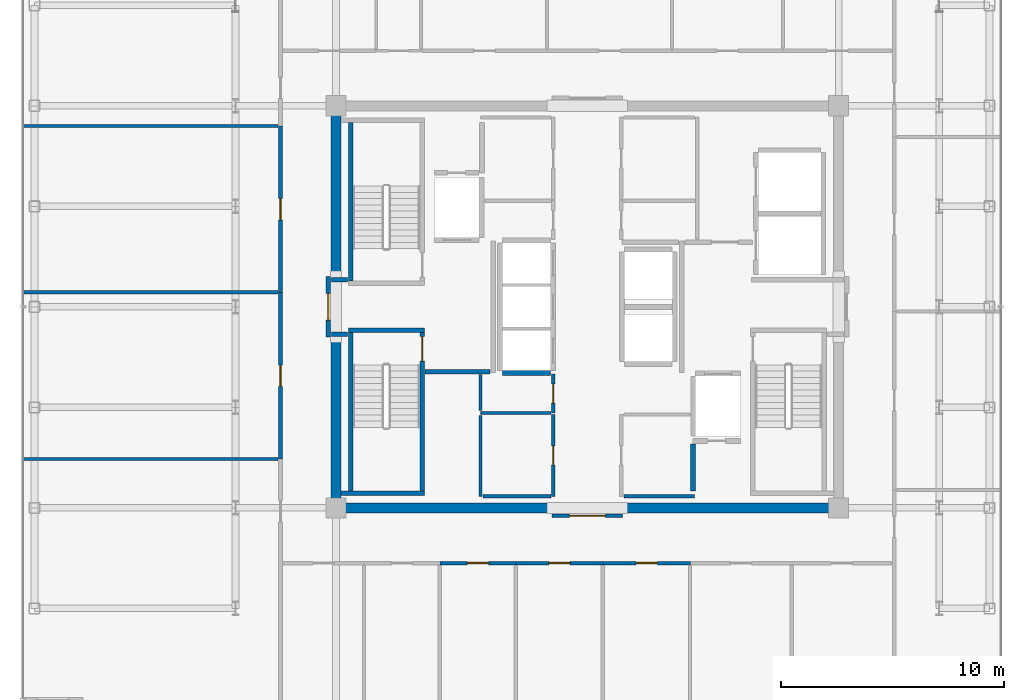
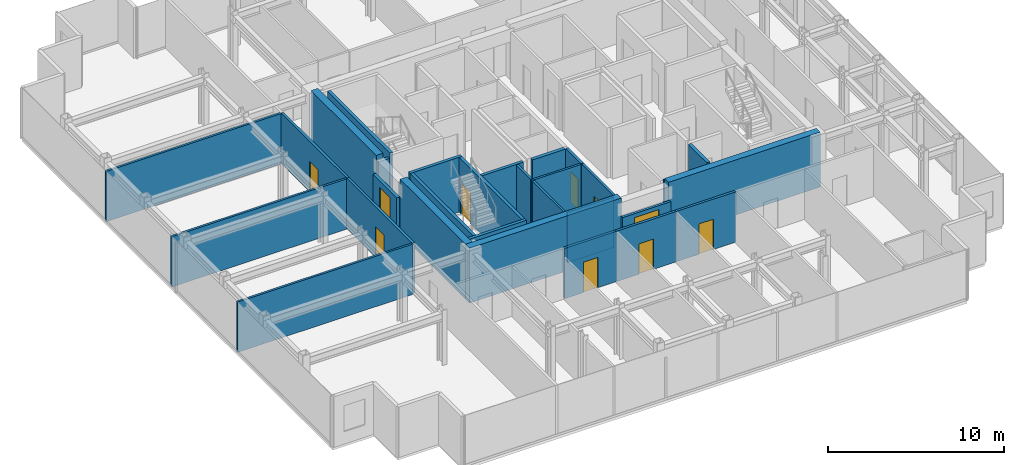
# One storey, part 13 of 18: 31 walls, 10 doors, 10 openings.
"""IFC4 building model written with IfcOpenShell, lengths in metres."""

from ifc_helpers import new_model, si_unit, direction, frame, frame_2d, origin, place, context, subcontext, project, spatial, rectangle, extrude, source, transform, mapped, material, layer, layer_set, type_object, element, fill, save


model = new_model("IFC4")

# Units and contexts
model_context = context("Model", 3, precision=1e-05, world=origin(), true_north=direction((0.0, 1.0)))
body_context = subcontext(model_context, "Body", "Model", "MODEL_VIEW")
ifc_project = project(units=[si_unit("LENGTHUNIT", "METRE"), si_unit("AREAUNIT", "SQUARE_METRE"), si_unit("VOLUMEUNIT", "CUBIC_METRE"), si_unit("PLANEANGLEUNIT", "RADIAN"), si_unit("MASSUNIT", "GRAM", prefix="KILO")], contexts=[model_context])

# Site, building, storey
site_placement = place(None, origin())
site = spatial("IfcSite", under=ifc_project, at=site_placement, CompositionType="ELEMENT")
building_placement = place(site_placement, origin())
building = spatial("IfcBuilding", under=site, at=building_placement, Name="Nefas-Gora Pilgrimage Tower", CompositionType="ELEMENT")
storey_placement = place(building_placement, frame((0.0, 0.0, 314.0)))
storey = spatial("IfcBuildingStorey", under=building, at=storey_placement, Name="L79", CompositionType="ELEMENT", Elevation=314.0)

# Walls
ifc_material_1 = material(Name="Concrete C50/60", Category="concrete")
ifc_layer_1 = layer(ifc_material_1, 0.449951171875)
ifc_layer_set_1 = layer_set([ifc_layer_1], Name="Concrete C50/60")
wall_type_1 = type_object("IfcWallType", Name="SW-CORE-450", PredefinedType="SHEAR", material=ifc_layer_set_1)
shared_shape_1 = source(origin(), body_context, "Body", "SweptSolid", [
    extrude(rectangle(XDim=9.925048828125, YDim=0.449951171875, at=frame_2d((4.96240234375, 0.0))), origin(), (0.0, 0.0, 1.0), 3.800048828125),
])
for number, where, z_axis, x_axis, name in (
    (1, (-11.47509765625, -9.0, 0.0), (0.0, 0.0, 1.0), (1.0, 0.0, 0.0), "L79 Core Shear Wall S-West"),
    (2, (1.550048828125, -9.0, 0.0), (0.0, 0.0, 1.0), (1.0, 0.0, 0.0), "L79 Core Shear Wall S-East"),
):
    element("IfcWall", number, at=place(storey_placement, frame(where, z_axis=z_axis, x_axis=x_axis)), inside=storey, type_object=wall_type_1, Name=name, PredefinedType="SHEAR", context=body_context, shape_type="MappedRepresentation", body=[
        mapped(shared_shape_1, transform((0.0, 0.0, 0.0), x_axis=(1.0, 0.0, 0.0), y_axis=(0.0, 1.0, 0.0), z_axis=(0.0, 0.0, 1.0), scale=1.0)),
    ])
shared_shape_2 = source(origin(), body_context, "Body", "SweptSolid", [
    extrude(rectangle(XDim=7.4248046875, YDim=0.449951171875, at=frame_2d((3.71240234375, 0.0))), origin(), (0.0, 0.0, 1.0), 3.800048828125),
])
for number, where, z_axis, x_axis, name in (
    (3, (-11.25, -8.77490234375, 0.0), (0.0, 0.0, 1.0), (0.0, 1.0, 0.0), "L79 Core Shear Wall W-South"),
    (4, (-11.25, 1.35009765625, 0.0), (0.0, 0.0, 1.0), (0.0, 1.0, 0.0), "L79 Core Shear Wall W-North"),
):
    element("IfcWall", number, at=place(storey_placement, frame(where, z_axis=z_axis, x_axis=x_axis)), inside=storey, type_object=wall_type_1, Name=name, PredefinedType="SHEAR", context=body_context, shape_type="MappedRepresentation", body=[
        mapped(shared_shape_2, transform((0.0, 0.0, 0.0), x_axis=(1.0, 0.0, 0.0), y_axis=(0.0, 1.0, 0.0), z_axis=(0.0, 0.0, 1.0), scale=1.0)),
    ])
ifc_material_2 = material(Name="Concrete C45/55", Category="concrete")
ifc_layer_2 = layer(ifc_material_2, 0.199951171875)
ifc_layer_set_2 = layer_set([ifc_layer_2], Name="Concrete C45/55")
wall_type_2 = type_object("IfcWallType", Name="IW-STAIR-200", PredefinedType="SOLIDWALL", material=ifc_layer_set_2)
shared_shape_3 = source(origin(), body_context, "Body", "SweptSolid", [
    extrude(rectangle(XDim=3.39990234375, YDim=0.199951171875, at=frame_2d((1.699951171875, 0.0))), origin(), (0.0, 0.0, 1.0), 3.800048828125),
])
wall_1_placement = place(storey_placement, frame((-10.699951171875, -1.050048828125, 0.0), z_axis=(0.0, 0.0, 1.0), x_axis=(1.0, 0.0, 0.0)))
element("IfcWall", 5, at=wall_1_placement, inside=storey, type_object=wall_type_2, Name="L79 Stairwell Shear Wall ST-03-near", PredefinedType="SOLIDWALL", context=body_context, shape_type="MappedRepresentation", body=[
    mapped(shared_shape_3, transform((0.0, 0.0, 0.0), x_axis=(1.0, 0.0, 0.0), y_axis=(0.0, 1.0, 0.0), z_axis=(0.0, 0.0, 1.0), scale=1.0)),
])
shared_shape_4 = source(origin(), body_context, "Body", "SweptSolid", [
    extrude(rectangle(XDim=7.10009765625, YDim=0.199951171875, at=frame_2d((3.550048828125, 0.0))), origin(), (0.0, 0.0, 1.0), 3.800048828125),
])
for number, where, z_axis, x_axis, name in (
    (6, (-10.60009765625, 1.14990234375, 0.0), (0.0, 0.0, 1.0), (0.0, 1.0, 0.0), "L79 Stairwell Shear Wall ST-01-right"),
    (7, (-10.60009765625, -1.14990234375, 0.0), (0.0, 0.0, 1.0), (0.0, -1.0, 0.0), "L79 Stairwell Shear Wall ST-03-left"),
):
    element("IfcWall", number, at=place(storey_placement, frame(where, z_axis=z_axis, x_axis=x_axis)), inside=storey, type_object=wall_type_2, Name=name, PredefinedType="SOLIDWALL", context=body_context, shape_type="MappedRepresentation", body=[
        mapped(shared_shape_4, transform((0.0, 0.0, 0.0), x_axis=(1.0, 0.0, 0.0), y_axis=(0.0, 1.0, 0.0), z_axis=(0.0, 0.0, 1.0), scale=1.0)),
    ])

# Wall, opening, door
wall_2_placement = place(storey_placement, frame((-7.39990234375, -1.14990234375, 0.0), z_axis=(0.0, 0.0, 1.0), x_axis=(0.0, -1.0, 0.0)))
wall_2 = element("IfcWall", 8, at=wall_2_placement, inside=storey, type_object=wall_type_2, Name="L79 Stairwell Shear Wall ST-03-right", PredefinedType="SOLIDWALL", context=body_context, shape_type="MappedRepresentation", body=[
    mapped(shared_shape_4, transform((0.0, 0.0, 0.0), x_axis=(1.0, 0.0, 0.0), y_axis=(0.0, 1.0, 0.0), z_axis=(0.0, 0.0, 1.0), scale=1.0)),
])
opening_1_placement = place(wall_2_placement, frame((0.179931640625, 0.0, 0.0)))
opening_1 = element("IfcOpeningElement", 9, at=opening_1_placement, cuts=wall_2, Name="Opening ID-ST1", PredefinedType="OPENING", context=body_context, shape_type="SweptSolid", body=[
    extrude(rectangle(XDim=1.10009765625, YDim=2.14990234375, at=frame_2d((0.550048828125, 1.074951171875))), frame((0.0, 0.10986328125, 0.0), z_axis=(0.0, -1.0, 0.0), x_axis=(1.0, 0.0, 0.0)), (0.0, 0.0, 1.0), 0.219970703125),
])
ifc_material_3 = material(Name="Painted galvanised steel fire stair door", Category="steel")
door_type_1 = type_object("IfcDoorType", Name="DR-INT-STAIR-1100", OperationType="NOTDEFINED", PredefinedType="DOOR", material=ifc_material_3)
shared_shape_5 = source(origin(), body_context, "Body", "SweptSolid", [
    extrude(rectangle(XDim=1.10009765625, YDim=2.14990234375, at=frame_2d((0.550048828125, 1.074951171875))), frame((0.0, 0.02490234375, 0.0), z_axis=(0.0, -1.0, 0.0), x_axis=(1.0, 0.0, 0.0)), (0.0, 0.0, 1.0), 0.050048828125),
])
door_1_placement = place(opening_1_placement, origin())
door_1 = element("IfcDoor", 10, at=door_1_placement, inside=storey, type_object=door_type_1, Name="L79 Protected Exit Stair Door ST-03", OperationType="SINGLE_SWING_LEFT", OverallHeight=2.14990234375, OverallWidth=1.10009765625, PredefinedType="DOOR", context=body_context, shape_type="MappedRepresentation", body=[
    mapped(shared_shape_5, transform((0.0, 0.0, 0.0), x_axis=(1.0, 0.0, 0.0), y_axis=(0.0, 1.0, 0.0), z_axis=(0.0, 0.0, 1.0), scale=1.0)),
])
fill(opening_1, door_1)

# Walls
shared_shape_6 = source(origin(), body_context, "Body", "SweptSolid", [
    extrude(rectangle(XDim=3.72998046875, YDim=0.199951171875, at=frame_2d((1.864990234375, 0.0))), origin(), (0.0, 0.0, 1.0), 3.800048828125),
])
wall_3_placement = place(storey_placement, frame((-11.030029296875, -8.35009765625, 0.0), z_axis=(0.0, 0.0, 1.0), x_axis=(1.0, 0.0, 0.0)))
element("IfcWall", 11, at=wall_3_placement, inside=storey, type_object=wall_type_2, Name="L79 Stairwell Shear Wall ST-03-far", PredefinedType="SOLIDWALL", context=body_context, shape_type="MappedRepresentation", body=[
    mapped(shared_shape_6, transform((0.0, 0.0, 0.0), x_axis=(1.0, 0.0, 0.0), y_axis=(0.0, 1.0, 0.0), z_axis=(0.0, 0.0, 1.0), scale=1.0)),
])
ifc_material_4 = material(Name="Concrete C40/50", Category="concrete")
ifc_layer_3 = layer(ifc_material_4, 0.219970703125)
ifc_layer_set_3 = layer_set([ifc_layer_3], Name="Concrete C40/50")
wall_type_3 = type_object("IfcWallType", Name="IW-SHAFT-220", PredefinedType="SOLIDWALL", material=ifc_layer_set_3)
shared_shape_7 = source(origin(), body_context, "Body", "SweptSolid", [
    extrude(rectangle(XDim=2.130126953125, YDim=0.219970703125, at=frame_2d((1.06494140625, 0.0))), origin(), (0.0, 0.0, 1.0), 3.485107421875),
])
wall_4_placement = place(storey_placement, frame((-3.7900390625, -2.9599609375, 0.0), z_axis=(0.0, 0.0, 1.0), x_axis=(1.0, 0.0, 0.0)))
element("IfcWall", 12, at=wall_4_placement, inside=storey, type_object=wall_type_3, Name="L79 Hoistway Wall PL3-01-S", PredefinedType="SOLIDWALL", context=body_context, shape_type="MappedRepresentation", body=[
    mapped(shared_shape_7, transform((0.0, 0.0, 0.0), x_axis=(1.0, 0.0, 0.0), y_axis=(0.0, 1.0, 0.0), z_axis=(0.0, 0.0, 1.0), scale=1.0)),
])
ifc_material_5 = material(Name="Gypsum fire-rated shaftwall")
ifc_layer_4 = layer(ifc_material_5, 0.199951171875)
ifc_layer_set_4 = layer_set([ifc_layer_4], Name="Gypsum fire-rated shaftwall")
wall_type_4 = type_object("IfcWallType", Name="IW-FFLOB-200", PredefinedType="PARTITIONING", material=ifc_layer_set_4)
shared_shape_8 = source(origin(), body_context, "Body", "SweptSolid", [
    extrude(rectangle(XDim=2.89990234375, YDim=0.199951171875, at=frame_2d((1.449951171875, 0.0))), origin(), (0.0, 0.0, 1.0), 3.485107421875),
])
wall_5_placement = place(storey_placement, frame((-7.260009765625, -2.89990234375, 0.0), z_axis=(0.0, 0.0, 1.0), x_axis=(1.0, 0.0, 0.0)))
element("IfcWall", 13, at=wall_5_placement, inside=storey, type_object=wall_type_4, Name="L79 FF Lobby West South Wall Wall 7", PredefinedType="PARTITIONING", context=body_context, shape_type="MappedRepresentation", body=[
    mapped(shared_shape_8, transform((0.0, 0.0, 0.0), x_axis=(1.0, 0.0, 0.0), y_axis=(0.0, 1.0, 0.0), z_axis=(0.0, 0.0, 1.0), scale=1.0)),
])
shared_shape_9 = source(origin(), body_context, "Body", "SweptSolid", [
    extrude(rectangle(XDim=0.719970703125, YDim=0.199951171875, at=frame_2d((0.35986328125, 0.0))), origin(), (0.0, 0.0, 1.0), 3.485107421875),
])
for number, where, z_axis, x_axis, name in (
    (14, (-11.4599609375, 1.219970703125, 0.0), (0.0, 0.0, 1.0), (1.0, 0.0, 0.0), "L79 FF Lobby West Throat N Wall 8"),
    (15, (-11.4599609375, -1.219970703125, 0.0), (0.0, 0.0, 1.0), (1.0, 0.0, 0.0), "L79 FF Lobby West Throat S Wall 9"),
):
    element("IfcWall", number, at=place(storey_placement, frame(where, z_axis=z_axis, x_axis=x_axis)), inside=storey, type_object=wall_type_4, Name=name, PredefinedType="PARTITIONING", context=body_context, shape_type="MappedRepresentation", body=[
        mapped(shared_shape_9, transform((0.0, 0.0, 0.0), x_axis=(1.0, 0.0, 0.0), y_axis=(0.0, 1.0, 0.0), z_axis=(0.0, 0.0, 1.0), scale=1.0)),
    ])

# Wall, opening, door
ifc_material_6 = material(Name="Gypsum acoustic stud partition")
ifc_layer_5 = layer(ifc_material_6, 0.159912109375)
ifc_layer_set_5 = layer_set([ifc_layer_5], Name="Gypsum acoustic stud partition")
wall_type_5 = type_object("IfcWallType", Name="IW-CORR-160", PredefinedType="PARTITIONING", material=ifc_layer_set_5)
shared_shape_10 = source(origin(), body_context, "Body", "SweptSolid", [
    extrude(rectangle(XDim=3.405029296875, YDim=0.159912109375, at=frame_2d((1.70263671875, 0.0))), origin(), (0.0, 0.0, 1.0), 3.485107421875),
])
wall_6_placement = place(storey_placement, frame((-6.60009765625, -11.469970703125, 0.0), z_axis=(0.0, 0.0, 1.0), x_axis=(1.0, 0.0, 0.0)))
wall_6 = element("IfcWall", 16, at=wall_6_placement, inside=storey, type_object=wall_type_5, Name="L79 Pastoral Chaplains Counselling Office Partition Wall 69", PredefinedType="PARTITIONING", context=body_context, shape_type="MappedRepresentation", body=[
    mapped(shared_shape_10, transform((0.0, 0.0, 0.0), x_axis=(1.0, 0.0, 0.0), y_axis=(0.0, 1.0, 0.0), z_axis=(0.0, 0.0, 1.0), scale=1.0)),
])
opening_2_placement = place(wall_6_placement, frame((1.2275390625, 0.0, 0.0)))
opening_2 = element("IfcOpeningElement", 17, at=opening_2_placement, cuts=wall_6, Name="Opening ID-GR1", PredefinedType="OPENING", context=body_context, shape_type="SweptSolid", body=[
    extrude(rectangle(XDim=0.949951171875, YDim=2.10009765625, at=frame_2d((0.47509765625, 1.050048828125))), frame((0.0, 0.08984375, 0.0), z_axis=(0.0, -1.0, 0.0), x_axis=(1.0, 0.0, 0.0)), (0.0, 0.0, 1.0), 0.179931640625),
])
ifc_material_7 = material(Name="Solid core oak fire-rated guest entrance door")
door_type_2 = type_object("IfcDoorType", Name="DR-INT-GUEST-950", OperationType="NOTDEFINED", PredefinedType="DOOR", material=ifc_material_7)
shared_shape_11 = source(origin(), body_context, "Body", "SweptSolid", [
    extrude(rectangle(XDim=0.949951171875, YDim=2.10009765625, at=frame_2d((0.47509765625, 1.050048828125))), frame((0.0, 0.02490234375, 0.0), z_axis=(0.0, -1.0, 0.0), x_axis=(1.0, 0.0, 0.0)), (0.0, 0.0, 1.0), 0.050048828125),
])
door_2_placement = place(opening_2_placement, origin())
door_2 = element("IfcDoor", 18, at=door_2_placement, inside=storey, type_object=door_type_2, Name="L79 Pastoral Chaplains Counselling Office Door 32", OperationType="SINGLE_SWING_LEFT", OverallHeight=2.10009765625, OverallWidth=0.949951171875, PredefinedType="DOOR", context=body_context, shape_type="MappedRepresentation", body=[
    mapped(shared_shape_11, transform((0.0, 0.0, 0.0), x_axis=(1.0, 0.0, 0.0), y_axis=(0.0, 1.0, 0.0), z_axis=(0.0, 0.0, 1.0), scale=1.0)),
])
fill(opening_2, door_2)

shared_shape_12 = source(origin(), body_context, "Body", "SweptSolid", [
    extrude(rectangle(XDim=3.905029296875, YDim=0.159912109375, at=frame_2d((1.95263671875, 0.0))), origin(), (0.0, 0.0, 1.0), 3.485107421875),
])
wall_7_placement = place(storey_placement, frame((-3.205078125, -11.469970703125, 0.0), z_axis=(0.0, 0.0, 1.0), x_axis=(1.0, 0.0, 0.0)))
wall_7 = element("IfcWall", 19, at=wall_7_placement, inside=storey, type_object=wall_type_5, Name="L79 Pilgrim Contemplative Lounge Partition Wall 71", PredefinedType="PARTITIONING", context=body_context, shape_type="MappedRepresentation", body=[
    mapped(shared_shape_12, transform((0.0, 0.0, 0.0), x_axis=(1.0, 0.0, 0.0), y_axis=(0.0, 1.0, 0.0), z_axis=(0.0, 0.0, 1.0), scale=1.0)),
])
opening_3_placement = place(wall_7_placement, frame((1.4775390625, 0.0, 0.0)))
opening_3 = element("IfcOpeningElement", 20, at=opening_3_placement, cuts=wall_7, Name="Opening ID-GR1", PredefinedType="OPENING", context=body_context, shape_type="SweptSolid", body=[
    extrude(rectangle(XDim=0.949951171875, YDim=2.10009765625, at=frame_2d((0.47509765625, 1.050048828125))), frame((0.0, 0.08984375, 0.0), z_axis=(0.0, -1.0, 0.0), x_axis=(1.0, 0.0, 0.0)), (0.0, 0.0, 1.0), 0.179931640625),
])
door_3_placement = place(opening_3_placement, origin())
door_3 = element("IfcDoor", 21, at=door_3_placement, inside=storey, type_object=door_type_2, Name="L79 Pilgrim Contemplative Lounge Door 33", OperationType="SINGLE_SWING_RIGHT", OverallHeight=2.10009765625, OverallWidth=0.949951171875, PredefinedType="DOOR", context=body_context, shape_type="MappedRepresentation", body=[
    mapped(shared_shape_11, transform((0.0, 0.0, 0.0), x_axis=(1.0, 0.0, 0.0), y_axis=(0.0, 1.0, 0.0), z_axis=(0.0, 0.0, 1.0), scale=1.0)),
])
fill(opening_3, door_3)

wall_8_placement = place(storey_placement, frame((0.699951171875, -11.469970703125, 0.0), z_axis=(0.0, 0.0, 1.0), x_axis=(1.0, 0.0, 0.0)))
wall_8 = element("IfcWall", 22, at=wall_8_placement, inside=storey, type_object=wall_type_5, Name="L79 Pilgrim Contemplative Lounge Partition Wall 73", PredefinedType="PARTITIONING", context=body_context, shape_type="MappedRepresentation", body=[
    mapped(shared_shape_12, transform((0.0, 0.0, 0.0), x_axis=(1.0, 0.0, 0.0), y_axis=(0.0, 1.0, 0.0), z_axis=(0.0, 0.0, 1.0), scale=1.0)),
])
opening_4_placement = place(wall_8_placement, frame((1.4775390625, 0.0, 0.0)))
opening_4 = element("IfcOpeningElement", 23, at=opening_4_placement, cuts=wall_8, Name="Opening ID-GR1", PredefinedType="OPENING", context=body_context, shape_type="SweptSolid", body=[
    extrude(rectangle(XDim=0.949951171875, YDim=2.10009765625, at=frame_2d((0.47509765625, 1.050048828125))), frame((0.0, 0.08984375, 0.0), z_axis=(0.0, -1.0, 0.0), x_axis=(1.0, 0.0, 0.0)), (0.0, 0.0, 1.0), 0.179931640625),
])
door_4_placement = place(opening_4_placement, origin())
door_4 = element("IfcDoor", 24, at=door_4_placement, inside=storey, type_object=door_type_2, Name="L79 Pilgrim Contemplative Lounge Door 34", OperationType="SINGLE_SWING_LEFT", OverallHeight=2.10009765625, OverallWidth=0.949951171875, PredefinedType="DOOR", context=body_context, shape_type="MappedRepresentation", body=[
    mapped(shared_shape_11, transform((0.0, 0.0, 0.0), x_axis=(1.0, 0.0, 0.0), y_axis=(0.0, 1.0, 0.0), z_axis=(0.0, 0.0, 1.0), scale=1.0)),
])
fill(opening_4, door_4)

# Walls
ifc_material_8 = material(Name="Gypsum twin-stud partition")
ifc_layer_6 = layer(ifc_material_8, 0.139892578125)
ifc_layer_set_6 = layer_set([ifc_layer_6], Name="Gypsum twin-stud partition")
wall_type_6 = type_object("IfcWallType", Name="IW-UNIT-140", PredefinedType="PARTITIONING", material=ifc_layer_set_6)
shared_shape_13 = source(origin(), body_context, "Body", "SweptSolid", [
    extrude(rectangle(XDim=3.150146484375, YDim=0.139892578125, at=frame_2d((1.5751953125, 0.0))), origin(), (0.0, 0.0, 1.0), 3.485107421875),
])
for number, where, z_axis, x_axis, name in (
    (25, (-4.7900390625, -4.75, 0.0), (0.0, 0.0, 1.0), (1.0, 0.0, 0.0), "L79 Guest Self-Service Laundry Room Partition Wall 32"),
    (26, (1.639892578125, -8.47998046875, 0.0), (0.0, 0.0, 1.0), (1.0, 0.0, 0.0), "L79 High-Rise Tableware Store Partition Wall 39"),
):
    element("IfcWall", number, at=place(storey_placement, frame(where, z_axis=z_axis, x_axis=x_axis)), inside=storey, type_object=wall_type_6, Name=name, PredefinedType="PARTITIONING", context=body_context, shape_type="MappedRepresentation", body=[
        mapped(shared_shape_13, transform((0.0, 0.0, 0.0), x_axis=(1.0, 0.0, 0.0), y_axis=(0.0, 1.0, 0.0), z_axis=(0.0, 0.0, 1.0), scale=1.0)),
    ])

# Wall, opening, door
shared_shape_14 = source(origin(), body_context, "Body", "SweptSolid", [
    extrude(rectangle(XDim=1.75, YDim=0.159912109375, at=frame_2d((0.875, 0.0))), origin(), (0.0, 0.0, 1.0), 3.485107421875),
])
wall_9_placement = place(storey_placement, frame((-1.52001953125, -4.760009765625, 0.0), z_axis=(0.0, 0.0, 1.0), x_axis=(0.0, 1.0, 0.0)))
wall_9 = element("IfcWall", 27, at=wall_9_placement, inside=storey, type_object=wall_type_5, Name="L79 Guest Self-Service Laundry Room Wall 31", PredefinedType="PARTITIONING", context=body_context, shape_type="MappedRepresentation", body=[
    mapped(shared_shape_14, transform((0.0, 0.0, 0.0), x_axis=(1.0, 0.0, 0.0), y_axis=(0.0, 1.0, 0.0), z_axis=(0.0, 0.0, 1.0), scale=1.0)),
])
opening_5_placement = place(wall_9_placement, frame((0.449951171875, 0.0, 0.0)))
opening_5 = element("IfcOpeningElement", 28, at=opening_5_placement, cuts=wall_9, Name="Opening ID-BT1", PredefinedType="OPENING", context=body_context, shape_type="SweptSolid", body=[
    extrude(rectangle(XDim=0.85009765625, YDim=2.10009765625, at=frame_2d((0.425048828125, 1.050048828125))), frame((0.0, 0.08984375, 0.0), z_axis=(0.0, -1.0, 0.0), x_axis=(1.0, 0.0, 0.0)), (0.0, 0.0, 1.0), 0.179931640625),
])
ifc_material_9 = material(Name="Moisture-resistant fire-rated timber door", Category="wood")
door_type_3 = type_object("IfcDoorType", Name="DR-INT-BATH-850", OperationType="NOTDEFINED", PredefinedType="DOOR", material=ifc_material_9)
shared_shape_15 = source(origin(), body_context, "Body", "SweptSolid", [
    extrude(rectangle(XDim=0.85009765625, YDim=2.10009765625, at=frame_2d((0.425048828125, 1.050048828125))), frame((0.0, 0.02490234375, 0.0), z_axis=(0.0, -1.0, 0.0), x_axis=(1.0, 0.0, 0.0)), (0.0, 0.0, 1.0), 0.050048828125),
])
door_5_placement = place(opening_5_placement, origin())
door_5 = element("IfcDoor", 29, at=door_5_placement, inside=storey, type_object=door_type_3, Name="L79 Guest Self-Service Laundry Room Door 13", OperationType="SINGLE_SWING_RIGHT", OverallHeight=2.10009765625, OverallWidth=0.85009765625, PredefinedType="DOOR", context=body_context, shape_type="MappedRepresentation", body=[
    mapped(shared_shape_15, transform((0.0, 0.0, 0.0), x_axis=(1.0, 0.0, 0.0), y_axis=(0.0, 1.0, 0.0), z_axis=(0.0, 0.0, 1.0), scale=1.0)),
])
fill(opening_5, door_5)

shared_shape_16 = source(origin(), body_context, "Body", "SweptSolid", [
    extrude(rectangle(XDim=3.679931640625, YDim=0.159912109375, at=frame_2d((1.83984375, 0.0))), origin(), (0.0, 0.0, 1.0), 3.485107421875),
])
wall_10_placement = place(storey_placement, frame((-1.52001953125, -8.489990234375, 0.0), z_axis=(0.0, 0.0, 1.0), x_axis=(0.0, 1.0, 0.0)))
wall_10 = element("IfcWall", 30, at=wall_10_placement, inside=storey, type_object=wall_type_5, Name="L79 High-Rise Linen Store Wall 34", PredefinedType="PARTITIONING", context=body_context, shape_type="MappedRepresentation", body=[
    mapped(shared_shape_16, transform((0.0, 0.0, 0.0), x_axis=(1.0, 0.0, 0.0), y_axis=(0.0, 1.0, 0.0), z_axis=(0.0, 0.0, 1.0), scale=1.0)),
])
opening_6_placement = place(wall_10_placement, frame((1.4150390625, 0.0, 0.0)))
opening_6 = element("IfcOpeningElement", 31, at=opening_6_placement, cuts=wall_10, Name="Opening ID-BT1", PredefinedType="OPENING", context=body_context, shape_type="SweptSolid", body=[
    extrude(rectangle(XDim=0.85009765625, YDim=2.10009765625, at=frame_2d((0.425048828125, 1.050048828125))), frame((0.0, 0.08984375, 0.0), z_axis=(0.0, -1.0, 0.0), x_axis=(1.0, 0.0, 0.0)), (0.0, 0.0, 1.0), 0.179931640625),
])
door_6_placement = place(opening_6_placement, origin())
door_6 = element("IfcDoor", 32, at=door_6_placement, inside=storey, type_object=door_type_3, Name="L79 High-Rise Linen Store Door 14", OperationType="SINGLE_SWING_LEFT", OverallHeight=2.10009765625, OverallWidth=0.85009765625, PredefinedType="DOOR", context=body_context, shape_type="MappedRepresentation", body=[
    mapped(shared_shape_15, transform((0.0, 0.0, 0.0), x_axis=(1.0, 0.0, 0.0), y_axis=(0.0, 1.0, 0.0), z_axis=(0.0, 0.0, 1.0), scale=1.0)),
])
fill(opening_6, door_6)

# Walls
shared_shape_17 = source(origin(), body_context, "Body", "SweptSolid", [
    extrude(rectangle(XDim=11.429931640625, YDim=0.139892578125, at=frame_2d((5.71484375, 0.0))), origin(), (0.0, 0.0, 1.0), 3.485107421875),
])
for number, where, z_axis, x_axis, name in (
    (33, (-25.2900390625, -6.804931640625, 0.0), (0.0, 0.0, 1.0), (1.0, 0.0, 0.0), "L79 Pilgrim Devotional Prayer Gallery Partition Wall 44"),
    (34, (-25.2900390625, 8.097412109375, 0.0), (0.0, 0.0, 1.0), (1.0, 0.0, 0.0), "L79 Pilgrim Devotional Prayer Gallery Partition Wall 46"),
    (35, (-25.2900390625, 0.6513671875, 0.0), (0.0, 0.0, 1.0), (1.0, 0.0, 0.0), "L79 Pilgrim Devotional Prayer Gallery Partition Wall 48"),
):
    element("IfcWall", number, at=place(storey_placement, frame(where, z_axis=z_axis, x_axis=x_axis)), inside=storey, type_object=wall_type_6, Name=name, PredefinedType="PARTITIONING", context=body_context, shape_type="MappedRepresentation", body=[
        mapped(shared_shape_17, transform((0.0, 0.0, 0.0), x_axis=(1.0, 0.0, 0.0), y_axis=(0.0, 1.0, 0.0), z_axis=(0.0, 0.0, 1.0), scale=1.0)),
    ])

# Wall, opening, door
shared_shape_18 = source(origin(), body_context, "Body", "SweptSolid", [
    extrude(rectangle(XDim=2.7001953125, YDim=0.199951171875, at=frame_2d((1.35009765625, 0.0))), origin(), (0.0, 0.0, 1.0), 2.574951171875),
])
wall_11_placement = place(storey_placement, frame((-11.60009765625, -1.35009765625, 0.0), z_axis=(0.0, 0.0, 1.0), x_axis=(0.0, 1.0, 0.0)))
wall_11 = element("IfcWall", 36, at=wall_11_placement, inside=storey, type_object=wall_type_4, Name="L79 FF Lobby West Portal Wall 5", PredefinedType="PARTITIONING", context=body_context, shape_type="MappedRepresentation", body=[
    mapped(shared_shape_18, transform((0.0, 0.0, 0.0), x_axis=(1.0, 0.0, 0.0), y_axis=(0.0, 1.0, 0.0), z_axis=(0.0, 0.0, 1.0), scale=1.0)),
])
opening_7_placement = place(wall_11_placement, frame((0.75, 0.0, 0.0)))
opening_7 = element("IfcOpeningElement", 37, at=opening_7_placement, cuts=wall_11, Name="Opening ID-FF1", PredefinedType="OPENING", context=body_context, shape_type="SweptSolid", body=[
    extrude(rectangle(XDim=1.199951171875, YDim=2.14990234375, at=frame_2d((0.60009765625, 1.074951171875))), frame((0.0, 0.10986328125, 0.0), z_axis=(0.0, -1.0, 0.0), x_axis=(1.0, 0.0, 0.0)), (0.0, 0.0, 1.0), 0.219970703125),
])
ifc_material_10 = material(Name="Smoke-sealed steel firefighting lobby door", Category="steel")
door_type_4 = type_object("IfcDoorType", Name="DR-INT-FFLOB-1200", OperationType="NOTDEFINED", PredefinedType="DOOR", material=ifc_material_10)
shared_shape_19 = source(origin(), body_context, "Body", "SweptSolid", [
    extrude(rectangle(XDim=1.199951171875, YDim=2.14990234375, at=frame_2d((0.60009765625, 1.074951171875))), frame((0.0, 0.02490234375, 0.0), z_axis=(0.0, -1.0, 0.0), x_axis=(1.0, 0.0, 0.0)), (0.0, 0.0, 1.0), 0.050048828125),
])
door_7_placement = place(opening_7_placement, origin())
door_7 = element("IfcDoor", 38, at=door_7_placement, inside=storey, type_object=door_type_4, Name="L79 FF Lobby West Portal Door 3", OperationType="SINGLE_SWING_RIGHT", OverallHeight=2.14990234375, OverallWidth=1.199951171875, PredefinedType="DOOR", context=body_context, shape_type="MappedRepresentation", body=[
    mapped(shared_shape_19, transform((0.0, 0.0, 0.0), x_axis=(1.0, 0.0, 0.0), y_axis=(0.0, 1.0, 0.0), z_axis=(0.0, 0.0, 1.0), scale=1.0)),
])
fill(opening_7, door_7)

shared_shape_20 = source(origin(), body_context, "Body", "SweptSolid", [
    extrude(rectangle(XDim=3.16015625, YDim=0.159912109375, at=frame_2d((1.580078125, 0.0))), origin(), (0.0, 0.0, 1.0), 2.574951171875),
])
wall_12_placement = place(storey_placement, frame((-1.580078125, -9.35009765625, 0.0), z_axis=(0.0, 0.0, 1.0), x_axis=(1.0, 0.0, 0.0)))
wall_12 = element("IfcWall", 39, at=wall_12_placement, inside=storey, type_object=wall_type_5, Name="L79 Central Lift Lobby South Portal Wall 17", PredefinedType="PARTITIONING", context=body_context, shape_type="MappedRepresentation", body=[
    mapped(shared_shape_20, transform((0.0, 0.0, 0.0), x_axis=(1.0, 0.0, 0.0), y_axis=(0.0, 1.0, 0.0), z_axis=(0.0, 0.0, 1.0), scale=1.0)),
])
opening_8_placement = place(wall_12_placement, frame((0.780029296875, 0.0, 0.0)))
opening_8 = element("IfcOpeningElement", 40, at=opening_8_placement, cuts=wall_12, Name="Opening ID-HL1", PredefinedType="OPENING", context=body_context, shape_type="SweptSolid", body=[
    extrude(rectangle(XDim=1.60009765625, YDim=2.300048828125, at=frame_2d((0.800048828125, 1.14990234375))), frame((0.0, 0.08984375, 0.0), z_axis=(0.0, -1.0, 0.0), x_axis=(1.0, 0.0, 0.0)), (0.0, 0.0, 1.0), 0.179931640625),
])
ifc_material_11 = material(Name="Double acoustic timber assembly hall door", Category="wood")
door_type_5 = type_object("IfcDoorType", Name="DR-INT-HALL-1600", OperationType="DOUBLE_DOOR_SINGLE_SWING", PredefinedType="DOOR", material=ifc_material_11)
shared_shape_21 = source(origin(), body_context, "Body", "SweptSolid", [
    extrude(rectangle(XDim=1.60009765625, YDim=2.300048828125, at=frame_2d((0.800048828125, 1.14990234375))), frame((0.0, 0.02490234375, 0.0), z_axis=(0.0, -1.0, 0.0), x_axis=(1.0, 0.0, 0.0)), (0.0, 0.0, 1.0), 0.050048828125),
])
door_8_placement = place(opening_8_placement, origin())
door_8 = element("IfcDoor", 41, at=door_8_placement, inside=storey, type_object=door_type_5, Name="L79 Central Lift Lobby South Portal Door 7", OperationType="DOUBLE_DOOR_SINGLE_SWING", OverallHeight=2.300048828125, OverallWidth=1.60009765625, PredefinedType="DOOR", context=body_context, shape_type="MappedRepresentation", body=[
    mapped(shared_shape_21, transform((0.0, 0.0, 0.0), x_axis=(1.0, 0.0, 0.0), y_axis=(0.0, 1.0, 0.0), z_axis=(0.0, 0.0, 1.0), scale=1.0)),
])
fill(opening_8, door_8)

# Walls
shared_shape_22 = source(origin(), body_context, "Body", "SweptSolid", [
    extrude(rectangle(XDim=2.10009765625, YDim=0.219970703125, at=frame_2d((1.050048828125, 0.0))), origin(), (0.0, 0.0, 1.0), 3.485107421875),
])
wall_13_placement = place(storey_placement, frame((4.719970703125, -8.25, 0.0), z_axis=(0.0, 0.0, 1.0), x_axis=(0.0, 1.0, 0.0)))
element("IfcWall", 42, at=wall_13_placement, inside=storey, type_object=wall_type_3, Name="L79 Riser Shaft Wall 4", PredefinedType="SOLIDWALL", context=body_context, shape_type="MappedRepresentation", body=[
    mapped(shared_shape_22, transform((0.0, 0.0, 0.0), x_axis=(1.0, 0.0, 0.0), y_axis=(0.0, 1.0, 0.0), z_axis=(0.0, 0.0, 1.0), scale=1.0)),
])
shared_shape_23 = source(origin(), body_context, "Body", "SweptSolid", [
    extrude(rectangle(XDim=1.599853515625, YDim=0.139892578125, at=frame_2d((0.7998046875, 0.0))), origin(), (0.0, 0.0, 1.0), 3.485107421875),
])
wall_14_placement = place(storey_placement, frame((-4.780029296875, -4.639892578125, 0.0), z_axis=(0.0, 0.0, 1.0), x_axis=(0.0, 1.0, 0.0)))
element("IfcWall", 43, at=wall_14_placement, inside=storey, type_object=wall_type_6, Name="L79 Guest Self-Service Laundry Room Partition Wall 33", PredefinedType="PARTITIONING", context=body_context, shape_type="MappedRepresentation", body=[
    mapped(shared_shape_23, transform((0.0, 0.0, 0.0), x_axis=(1.0, 0.0, 0.0), y_axis=(0.0, 1.0, 0.0), z_axis=(0.0, 0.0, 1.0), scale=1.0)),
])
shared_shape_24 = source(origin(), body_context, "Body", "SweptSolid", [
    extrude(rectangle(XDim=3.6298828125, YDim=0.139892578125, at=frame_2d((1.81494140625, 0.0))), origin(), (0.0, 0.0, 1.0), 3.485107421875),
])
wall_15_placement = place(storey_placement, frame((-4.780029296875, -8.489990234375, 0.0), z_axis=(0.0, 0.0, 1.0), x_axis=(0.0, 1.0, 0.0)))
element("IfcWall", 44, at=wall_15_placement, inside=storey, type_object=wall_type_6, Name="L79 High-Rise Linen Store Partition Wall 35", PredefinedType="PARTITIONING", context=body_context, shape_type="MappedRepresentation", body=[
    mapped(shared_shape_24, transform((0.0, 0.0, 0.0), x_axis=(1.0, 0.0, 0.0), y_axis=(0.0, 1.0, 0.0), z_axis=(0.0, 0.0, 1.0), scale=1.0)),
])
shared_shape_25 = source(origin(), body_context, "Body", "SweptSolid", [
    extrude(rectangle(XDim=3.030029296875, YDim=0.139892578125, at=frame_2d((1.51513671875, 0.0))), origin(), (0.0, 0.0, 1.0), 3.485107421875),
])
wall_16_placement = place(storey_placement, frame((-4.669921875, -8.47998046875, 0.0), z_axis=(0.0, 0.0, 1.0), x_axis=(1.0, 0.0, 0.0)))
element("IfcWall", 45, at=wall_16_placement, inside=storey, type_object=wall_type_6, Name="L79 High-Rise Linen Store Partition Wall 36", PredefinedType="PARTITIONING", context=body_context, shape_type="MappedRepresentation", body=[
    mapped(shared_shape_25, transform((0.0, 0.0, 0.0), x_axis=(1.0, 0.0, 0.0), y_axis=(0.0, 1.0, 0.0), z_axis=(0.0, 0.0, 1.0), scale=1.0)),
])

# Wall, opening, door
shared_shape_26 = source(origin(), body_context, "Body", "SweptSolid", [
    extrude(rectangle(XDim=7.446044921875, YDim=0.159912109375, at=frame_2d((3.72314453125, 0.0))), origin(), (0.0, 0.0, 1.0), 3.485107421875),
])
wall_17_placement = place(storey_placement, frame((-13.739990234375, 0.641357421875, 0.0), z_axis=(0.0, 0.0, 1.0), x_axis=(0.0, 1.0, 0.0)))
wall_17 = element("IfcWall", 46, at=wall_17_placement, inside=storey, type_object=wall_type_5, Name="L79 Pilgrim Devotional Prayer Gallery Partition Wall 47", PredefinedType="PARTITIONING", context=body_context, shape_type="MappedRepresentation", body=[
    mapped(shared_shape_26, transform((0.0, 0.0, 0.0), x_axis=(1.0, 0.0, 0.0), y_axis=(0.0, 1.0, 0.0), z_axis=(0.0, 0.0, 1.0), scale=1.0)),
])
opening_9_placement = place(wall_17_placement, frame((3.248046875, 0.0, 0.0)))
opening_9 = element("IfcOpeningElement", 47, at=opening_9_placement, cuts=wall_17, Name="Opening ID-GR1", PredefinedType="OPENING", context=body_context, shape_type="SweptSolid", body=[
    extrude(rectangle(XDim=0.949951171875, YDim=2.10009765625, at=frame_2d((0.47509765625, 1.050048828125))), frame((0.0, 0.08984375, 0.0), z_axis=(0.0, -1.0, 0.0), x_axis=(1.0, 0.0, 0.0)), (0.0, 0.0, 1.0), 0.179931640625),
])
door_9_placement = place(opening_9_placement, origin())
door_9 = element("IfcDoor", 48, at=door_9_placement, inside=storey, type_object=door_type_2, Name="L79 Pilgrim Devotional Prayer Gallery Door 19", OperationType="SINGLE_SWING_RIGHT", OverallHeight=2.10009765625, OverallWidth=0.949951171875, PredefinedType="DOOR", context=body_context, shape_type="MappedRepresentation", body=[
    mapped(shared_shape_11, transform((0.0, 0.0, 0.0), x_axis=(1.0, 0.0, 0.0), y_axis=(0.0, 1.0, 0.0), z_axis=(0.0, 0.0, 1.0), scale=1.0)),
])
fill(opening_9, door_9)

shared_shape_27 = source(origin(), body_context, "Body", "SweptSolid", [
    extrude(rectangle(XDim=7.4462890625, YDim=0.159912109375, at=frame_2d((3.72314453125, 0.0))), origin(), (0.0, 0.0, 1.0), 3.485107421875),
])
wall_18_placement = place(storey_placement, frame((-13.739990234375, -6.804931640625, 0.0), z_axis=(0.0, 0.0, 1.0), x_axis=(0.0, 1.0, 0.0)))
wall_18 = element("IfcWall", 49, at=wall_18_placement, inside=storey, type_object=wall_type_5, Name="L79 Pilgrim Tea and Beverage Pantry Partition Wall 49", PredefinedType="PARTITIONING", context=body_context, shape_type="MappedRepresentation", body=[
    mapped(shared_shape_27, transform((0.0, 0.0, 0.0), x_axis=(1.0, 0.0, 0.0), y_axis=(0.0, 1.0, 0.0), z_axis=(0.0, 0.0, 1.0), scale=1.0)),
])
opening_10_placement = place(wall_18_placement, frame((3.248046875, 0.0, 0.0)))
opening_10 = element("IfcOpeningElement", 50, at=opening_10_placement, cuts=wall_18, Name="Opening ID-GR1", PredefinedType="OPENING", context=body_context, shape_type="SweptSolid", body=[
    extrude(rectangle(XDim=0.949951171875, YDim=2.10009765625, at=frame_2d((0.47509765625, 1.050048828125))), frame((0.0, 0.08984375, 0.0), z_axis=(0.0, -1.0, 0.0), x_axis=(1.0, 0.0, 0.0)), (0.0, 0.0, 1.0), 0.179931640625),
])
door_10_placement = place(opening_10_placement, origin())
door_10 = element("IfcDoor", 51, at=door_10_placement, inside=storey, type_object=door_type_2, Name="L79 Pilgrim Tea and Beverage Pantry Door 20", OperationType="SINGLE_SWING_LEFT", OverallHeight=2.10009765625, OverallWidth=0.949951171875, PredefinedType="DOOR", context=body_context, shape_type="MappedRepresentation", body=[
    mapped(shared_shape_11, transform((0.0, 0.0, 0.0), x_axis=(1.0, 0.0, 0.0), y_axis=(0.0, 1.0, 0.0), z_axis=(0.0, 0.0, 1.0), scale=1.0)),
])
fill(opening_10, door_10)

save(model, "model.ifc")
